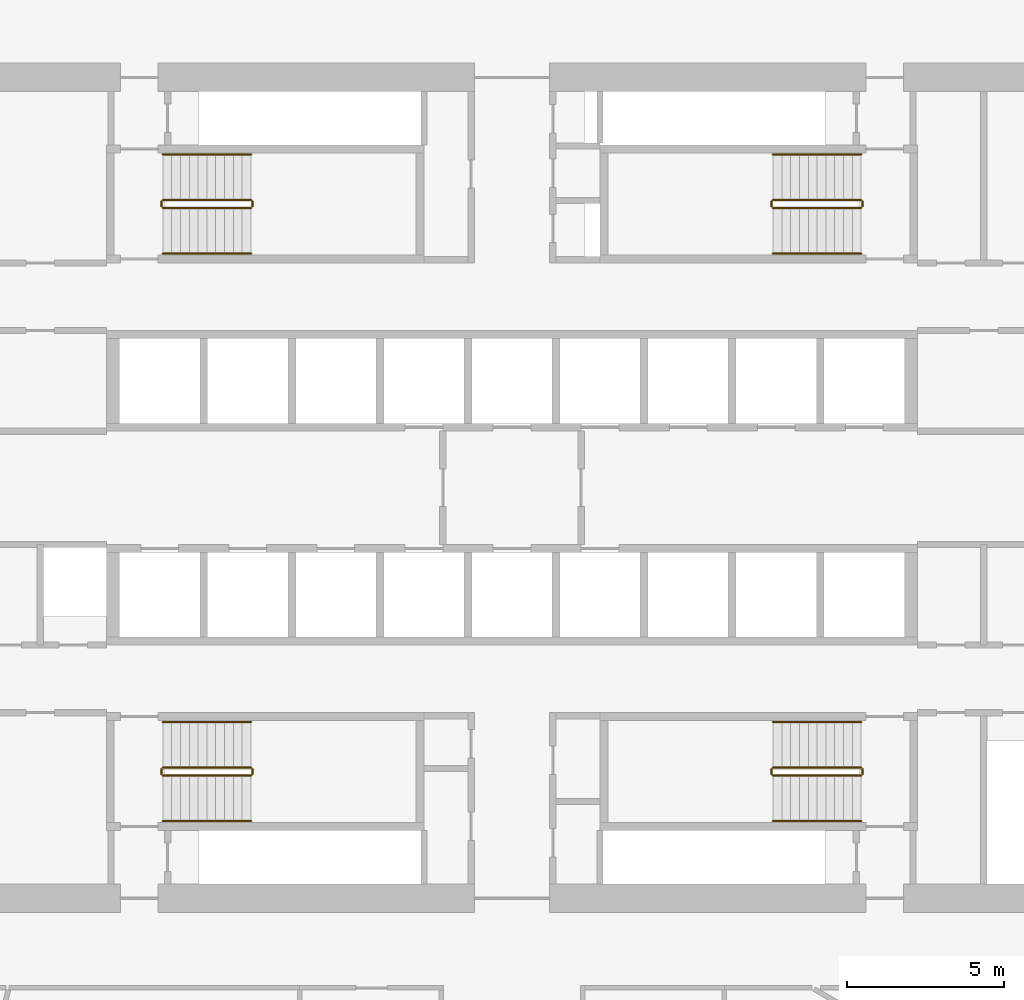
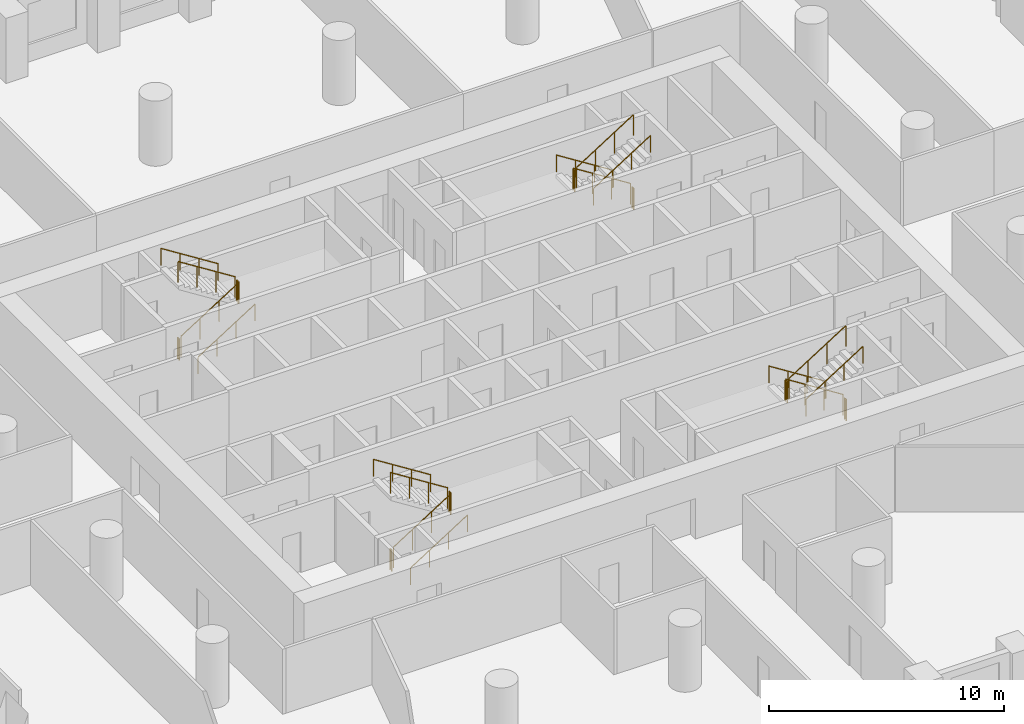
# One storey, part 10 of 10: 24 railings.
"""IFC4 building model written with IfcOpenShell, lengths in metres."""

from ifc_helpers import new_model, si_unit, direction, frame, origin, origin_2d, place, context, subcontext, project, spatial, circle, extrude, material, type_object, element, save


model = new_model("IFC4")

# Units and contexts
model_context = context("Model", 3, precision=1e-05, world=origin(), true_north=direction((0.0, 1.0)))
body_context = subcontext(model_context, "Body", "Model", "MODEL_VIEW")
ifc_project = project(units=[si_unit("LENGTHUNIT", "METRE"), si_unit("AREAUNIT", "SQUARE_METRE"), si_unit("VOLUMEUNIT", "CUBIC_METRE"), si_unit("PLANEANGLEUNIT", "RADIAN"), si_unit("MASSUNIT", "GRAM", prefix="KILO")], contexts=[model_context])

# Site, building, storey
site_placement = place(None, origin())
site = spatial("IfcSite", under=ifc_project, at=site_placement, CompositionType="ELEMENT")
building_placement = place(site_placement, origin())
building = spatial("IfcBuilding", under=site, at=building_placement, Name="Dhurran Vertical Campus", CompositionType="ELEMENT")
storey_placement = place(building_placement, frame((0.0, 0.0, 72.89990234375)))
storey = spatial("IfcBuildingStorey", under=building, at=storey_placement, Name="L17", CompositionType="ELEMENT", Elevation=72.89990234375)

# Railings
ifc_material_1 = material(Name="Stainless steel balustrade", Category="steel")
railing_type_1 = type_object("IfcRailingType", Name="co-RL-GUARD-1100", PredefinedType="GUARDRAIL", material=ifc_material_1)
railing_1_placement = place(storey_placement, frame((-11.10009765625, 8.89990234375, 0.177490234375)))
element("IfcRailing", 1, at=railing_1_placement, inside=storey, type_object=railing_type_1, Name="L17 ST1 stair guard 1", PredefinedType="GUARDRAIL", context=body_context, shape_type="SweptSolid", body=[
    extrude(circle(Radius=0.02392578125, at=origin_2d()), frame((0.0, 0.0, 1.076171875), z_axis=(0.844908973607, 0.0, 0.534910110503), x_axis=(0.0, 1.0, 0.0)), (0.0, 0.0, 1.0), 3.31396484375),
    extrude(circle(Radius=0.02099609375, at=origin_2d()), origin(), (0.0, 0.0, 1.0), 1.052001953125),
    extrude(circle(Radius=0.02099609375, at=origin_2d()), frame((0.933349609375, 0.0, 0.5908203125)), (0.0, 0.0, 1.0), 1.052001953125),
    extrude(circle(Radius=0.02099609375, at=origin_2d()), frame((1.86669921875, 0.0, 1.181884765625)), (0.0, 0.0, 1.0), 1.052001953125),
    extrude(circle(Radius=0.02099609375, at=origin_2d()), frame((2.800048828125, 0.0, 1.772705078125)), (0.0, 0.0, 1.0), 1.052001953125),
])
railing_2_placement = place(storey_placement, frame((-8.25, 8.949951171875, 1.9501953125)))
element("IfcRailing", 2, at=railing_2_placement, inside=storey, type_object=railing_type_1, Name="L17 ST1 stair guard 2", PredefinedType="GUARDRAIL", context=body_context, shape_type="SweptSolid", body=[
    extrude(circle(Radius=0.02392578125, at=origin_2d()), frame((0.0, 0.0, 1.076171875), z_axis=(0.0, 1.0, 0.0), x_axis=(-1.0, 0.0, 0.0)), (0.0, 0.0, 1.0), 0.150146484375),
    extrude(circle(Radius=0.02099609375, at=origin_2d()), origin(), (0.0, 0.0, 1.0), 1.052001953125),
    extrude(circle(Radius=0.02099609375, at=origin_2d()), frame((0.0, 0.150146484375, 0.0)), (0.0, 0.0, 1.0), 1.052001953125),
])
railing_3_placement = place(storey_placement, frame((-8.300048828125, 9.14990234375, 2.12744140625)))
element("IfcRailing", 3, at=railing_3_placement, inside=storey, type_object=railing_type_1, Name="L17 ST1 stair guard 3", PredefinedType="GUARDRAIL", context=body_context, shape_type="SweptSolid", body=[
    extrude(circle(Radius=0.02392578125, at=origin_2d()), frame((0.0, 0.0, 1.076171875), z_axis=(-0.844908973607, 0.0, 0.534910110503), x_axis=(0.0, -1.0, 0.0)), (0.0, 0.0, 1.0), 3.31396484375),
    extrude(circle(Radius=0.02099609375, at=origin_2d()), origin(), (0.0, 0.0, 1.0), 1.052001953125),
    extrude(circle(Radius=0.02099609375, at=origin_2d()), frame((-0.933349609375, 0.0, 0.5908203125)), (0.0, 0.0, 1.0), 1.052001953125),
    extrude(circle(Radius=0.02099609375, at=origin_2d()), frame((-1.86669921875, 0.0, 1.181884765625)), (0.0, 0.0, 1.0), 1.052001953125),
    extrude(circle(Radius=0.02099609375, at=origin_2d()), frame((-2.800048828125, 0.0, 1.772705078125)), (0.0, 0.0, 1.0), 1.052001953125),
])
railing_4_placement = place(storey_placement, frame((-11.14990234375, 8.949951171875, 0.0)))
element("IfcRailing", 4, at=railing_4_placement, inside=storey, type_object=railing_type_1, Name="L17 ST1 stair guard 4", PredefinedType="GUARDRAIL", context=body_context, shape_type="SweptSolid", body=[
    extrude(circle(Radius=0.02392578125, at=origin_2d()), frame((0.0, 0.0, 1.076171875), z_axis=(0.0, 1.0, 0.0), x_axis=(-1.0, 0.0, 0.0)), (0.0, 0.0, 1.0), 0.150146484375),
    extrude(circle(Radius=0.02099609375, at=origin_2d()), origin(), (0.0, 0.0, 1.0), 1.052001953125),
    extrude(circle(Radius=0.02099609375, at=origin_2d()), frame((0.0, 0.150146484375, 0.0)), (0.0, 0.0, 1.0), 1.052001953125),
])
railing_5_placement = place(storey_placement, frame((11.10009765625, 9.14990234375, 0.177490234375)))
element("IfcRailing", 5, at=railing_5_placement, inside=storey, type_object=railing_type_1, Name="L17 ST2 stair guard 1", PredefinedType="GUARDRAIL", context=body_context, shape_type="SweptSolid", body=[
    extrude(circle(Radius=0.02392578125, at=origin_2d()), frame((0.0, 0.0, 1.076171875), z_axis=(-0.844908973607, 0.0, 0.534910110503), x_axis=(0.0, -1.0, 0.0)), (0.0, 0.0, 1.0), 3.31396484375),
    extrude(circle(Radius=0.02099609375, at=origin_2d()), origin(), (0.0, 0.0, 1.0), 1.052001953125),
    extrude(circle(Radius=0.02099609375, at=origin_2d()), frame((-0.933349609375, 0.0, 0.5908203125)), (0.0, 0.0, 1.0), 1.052001953125),
    extrude(circle(Radius=0.02099609375, at=origin_2d()), frame((-1.86669921875, 0.0, 1.181884765625)), (0.0, 0.0, 1.0), 1.052001953125),
    extrude(circle(Radius=0.02099609375, at=origin_2d()), frame((-2.800048828125, 0.0, 1.772705078125)), (0.0, 0.0, 1.0), 1.052001953125),
])
railing_6_placement = place(storey_placement, frame((8.25, 9.10009765625, 1.9501953125)))
element("IfcRailing", 6, at=railing_6_placement, inside=storey, type_object=railing_type_1, Name="L17 ST2 stair guard 2", PredefinedType="GUARDRAIL", context=body_context, shape_type="SweptSolid", body=[
    extrude(circle(Radius=0.02392578125, at=origin_2d()), frame((0.0, 0.0, 1.076171875), z_axis=(0.0, -1.0, 0.0), x_axis=(1.0, 0.0, 0.0)), (0.0, 0.0, 1.0), 0.150146484375),
    extrude(circle(Radius=0.02099609375, at=origin_2d()), origin(), (0.0, 0.0, 1.0), 1.052001953125),
    extrude(circle(Radius=0.02099609375, at=origin_2d()), frame((0.0, -0.150146484375, 0.0)), (0.0, 0.0, 1.0), 1.052001953125),
])
railing_7_placement = place(storey_placement, frame((8.300048828125, 8.89990234375, 2.12744140625)))
element("IfcRailing", 7, at=railing_7_placement, inside=storey, type_object=railing_type_1, Name="L17 ST2 stair guard 3", PredefinedType="GUARDRAIL", context=body_context, shape_type="SweptSolid", body=[
    extrude(circle(Radius=0.02392578125, at=origin_2d()), frame((0.0, 0.0, 1.076171875), z_axis=(0.844908973607, 0.0, 0.534910110503), x_axis=(0.0, 1.0, 0.0)), (0.0, 0.0, 1.0), 3.31396484375),
    extrude(circle(Radius=0.02099609375, at=origin_2d()), origin(), (0.0, 0.0, 1.0), 1.052001953125),
    extrude(circle(Radius=0.02099609375, at=origin_2d()), frame((0.933349609375, 0.0, 0.5908203125)), (0.0, 0.0, 1.0), 1.052001953125),
    extrude(circle(Radius=0.02099609375, at=origin_2d()), frame((1.86669921875, 0.0, 1.181884765625)), (0.0, 0.0, 1.0), 1.052001953125),
    extrude(circle(Radius=0.02099609375, at=origin_2d()), frame((2.800048828125, 0.0, 1.772705078125)), (0.0, 0.0, 1.0), 1.052001953125),
])
railing_8_placement = place(storey_placement, frame((11.14990234375, 9.10009765625, 0.0)))
element("IfcRailing", 8, at=railing_8_placement, inside=storey, type_object=railing_type_1, Name="L17 ST2 stair guard 4", PredefinedType="GUARDRAIL", context=body_context, shape_type="SweptSolid", body=[
    extrude(circle(Radius=0.02392578125, at=origin_2d()), frame((0.0, 0.0, 1.076171875), z_axis=(0.0, -1.0, 0.0), x_axis=(1.0, 0.0, 0.0)), (0.0, 0.0, 1.0), 0.150146484375),
    extrude(circle(Radius=0.02099609375, at=origin_2d()), origin(), (0.0, 0.0, 1.0), 1.052001953125),
    extrude(circle(Radius=0.02099609375, at=origin_2d()), frame((0.0, -0.150146484375, 0.0)), (0.0, 0.0, 1.0), 1.052001953125),
])
railing_9_placement = place(storey_placement, frame((-11.10009765625, -9.14990234375, 0.177490234375)))
element("IfcRailing", 9, at=railing_9_placement, inside=storey, type_object=railing_type_1, Name="L17 ST3 stair guard 1", PredefinedType="GUARDRAIL", context=body_context, shape_type="SweptSolid", body=[
    extrude(circle(Radius=0.02392578125, at=origin_2d()), frame((0.0, 0.0, 1.076171875), z_axis=(0.844908973607, 0.0, 0.534910110503), x_axis=(0.0, 1.0, 0.0)), (0.0, 0.0, 1.0), 3.31396484375),
    extrude(circle(Radius=0.02099609375, at=origin_2d()), origin(), (0.0, 0.0, 1.0), 1.052001953125),
    extrude(circle(Radius=0.02099609375, at=origin_2d()), frame((0.933349609375, 0.0, 0.5908203125)), (0.0, 0.0, 1.0), 1.052001953125),
    extrude(circle(Radius=0.02099609375, at=origin_2d()), frame((1.86669921875, 0.0, 1.181884765625)), (0.0, 0.0, 1.0), 1.052001953125),
    extrude(circle(Radius=0.02099609375, at=origin_2d()), frame((2.800048828125, 0.0, 1.772705078125)), (0.0, 0.0, 1.0), 1.052001953125),
])
railing_10_placement = place(storey_placement, frame((-8.25, -9.10009765625, 1.9501953125)))
element("IfcRailing", 10, at=railing_10_placement, inside=storey, type_object=railing_type_1, Name="L17 ST3 stair guard 2", PredefinedType="GUARDRAIL", context=body_context, shape_type="SweptSolid", body=[
    extrude(circle(Radius=0.02392578125, at=origin_2d()), frame((0.0, 0.0, 1.076171875), z_axis=(0.0, 1.0, 0.0), x_axis=(-1.0, 0.0, 0.0)), (0.0, 0.0, 1.0), 0.150146484375),
    extrude(circle(Radius=0.02099609375, at=origin_2d()), origin(), (0.0, 0.0, 1.0), 1.052001953125),
    extrude(circle(Radius=0.02099609375, at=origin_2d()), frame((0.0, 0.150146484375, 0.0)), (0.0, 0.0, 1.0), 1.052001953125),
])
railing_11_placement = place(storey_placement, frame((-8.300048828125, -8.89990234375, 2.12744140625)))
element("IfcRailing", 11, at=railing_11_placement, inside=storey, type_object=railing_type_1, Name="L17 ST3 stair guard 3", PredefinedType="GUARDRAIL", context=body_context, shape_type="SweptSolid", body=[
    extrude(circle(Radius=0.02392578125, at=origin_2d()), frame((0.0, 0.0, 1.076171875), z_axis=(-0.844908973607, 0.0, 0.534910110503), x_axis=(0.0, -1.0, 0.0)), (0.0, 0.0, 1.0), 3.31396484375),
    extrude(circle(Radius=0.02099609375, at=origin_2d()), origin(), (0.0, 0.0, 1.0), 1.052001953125),
    extrude(circle(Radius=0.02099609375, at=origin_2d()), frame((-0.933349609375, 0.0, 0.5908203125)), (0.0, 0.0, 1.0), 1.052001953125),
    extrude(circle(Radius=0.02099609375, at=origin_2d()), frame((-1.86669921875, 0.0, 1.181884765625)), (0.0, 0.0, 1.0), 1.052001953125),
    extrude(circle(Radius=0.02099609375, at=origin_2d()), frame((-2.800048828125, 0.0, 1.772705078125)), (0.0, 0.0, 1.0), 1.052001953125),
])
railing_12_placement = place(storey_placement, frame((-11.14990234375, -9.10009765625, 0.0)))
element("IfcRailing", 12, at=railing_12_placement, inside=storey, type_object=railing_type_1, Name="L17 ST3 stair guard 4", PredefinedType="GUARDRAIL", context=body_context, shape_type="SweptSolid", body=[
    extrude(circle(Radius=0.02392578125, at=origin_2d()), frame((0.0, 0.0, 1.076171875), z_axis=(0.0, 1.0, 0.0), x_axis=(-1.0, 0.0, 0.0)), (0.0, 0.0, 1.0), 0.150146484375),
    extrude(circle(Radius=0.02099609375, at=origin_2d()), origin(), (0.0, 0.0, 1.0), 1.052001953125),
    extrude(circle(Radius=0.02099609375, at=origin_2d()), frame((0.0, 0.150146484375, 0.0)), (0.0, 0.0, 1.0), 1.052001953125),
])
railing_13_placement = place(storey_placement, frame((11.10009765625, -8.89990234375, 0.177490234375)))
element("IfcRailing", 13, at=railing_13_placement, inside=storey, type_object=railing_type_1, Name="L17 ST4 stair guard 1", PredefinedType="GUARDRAIL", context=body_context, shape_type="SweptSolid", body=[
    extrude(circle(Radius=0.02392578125, at=origin_2d()), frame((0.0, 0.0, 1.076171875), z_axis=(-0.844908973607, 0.0, 0.534910110503), x_axis=(0.0, -1.0, 0.0)), (0.0, 0.0, 1.0), 3.31396484375),
    extrude(circle(Radius=0.02099609375, at=origin_2d()), origin(), (0.0, 0.0, 1.0), 1.052001953125),
    extrude(circle(Radius=0.02099609375, at=origin_2d()), frame((-0.933349609375, 0.0, 0.5908203125)), (0.0, 0.0, 1.0), 1.052001953125),
    extrude(circle(Radius=0.02099609375, at=origin_2d()), frame((-1.86669921875, 0.0, 1.181884765625)), (0.0, 0.0, 1.0), 1.052001953125),
    extrude(circle(Radius=0.02099609375, at=origin_2d()), frame((-2.800048828125, 0.0, 1.772705078125)), (0.0, 0.0, 1.0), 1.052001953125),
])
railing_14_placement = place(storey_placement, frame((8.25, -8.949951171875, 1.9501953125)))
element("IfcRailing", 14, at=railing_14_placement, inside=storey, type_object=railing_type_1, Name="L17 ST4 stair guard 2", PredefinedType="GUARDRAIL", context=body_context, shape_type="SweptSolid", body=[
    extrude(circle(Radius=0.02392578125, at=origin_2d()), frame((0.0, 0.0, 1.076171875), z_axis=(0.0, -1.0, 0.0), x_axis=(1.0, 0.0, 0.0)), (0.0, 0.0, 1.0), 0.150146484375),
    extrude(circle(Radius=0.02099609375, at=origin_2d()), origin(), (0.0, 0.0, 1.0), 1.052001953125),
    extrude(circle(Radius=0.02099609375, at=origin_2d()), frame((0.0, -0.150146484375, 0.0)), (0.0, 0.0, 1.0), 1.052001953125),
])
railing_15_placement = place(storey_placement, frame((8.300048828125, -9.14990234375, 2.12744140625)))
element("IfcRailing", 15, at=railing_15_placement, inside=storey, type_object=railing_type_1, Name="L17 ST4 stair guard 3", PredefinedType="GUARDRAIL", context=body_context, shape_type="SweptSolid", body=[
    extrude(circle(Radius=0.02392578125, at=origin_2d()), frame((0.0, 0.0, 1.076171875), z_axis=(0.844908973607, 0.0, 0.534910110503), x_axis=(0.0, 1.0, 0.0)), (0.0, 0.0, 1.0), 3.31396484375),
    extrude(circle(Radius=0.02099609375, at=origin_2d()), origin(), (0.0, 0.0, 1.0), 1.052001953125),
    extrude(circle(Radius=0.02099609375, at=origin_2d()), frame((0.933349609375, 0.0, 0.5908203125)), (0.0, 0.0, 1.0), 1.052001953125),
    extrude(circle(Radius=0.02099609375, at=origin_2d()), frame((1.86669921875, 0.0, 1.181884765625)), (0.0, 0.0, 1.0), 1.052001953125),
    extrude(circle(Radius=0.02099609375, at=origin_2d()), frame((2.800048828125, 0.0, 1.772705078125)), (0.0, 0.0, 1.0), 1.052001953125),
])
railing_16_placement = place(storey_placement, frame((11.14990234375, -8.949951171875, 0.0)))
element("IfcRailing", 16, at=railing_16_placement, inside=storey, type_object=railing_type_1, Name="L17 ST4 stair guard 4", PredefinedType="GUARDRAIL", context=body_context, shape_type="SweptSolid", body=[
    extrude(circle(Radius=0.02392578125, at=origin_2d()), frame((0.0, 0.0, 1.076171875), z_axis=(0.0, -1.0, 0.0), x_axis=(1.0, 0.0, 0.0)), (0.0, 0.0, 1.0), 0.150146484375),
    extrude(circle(Radius=0.02099609375, at=origin_2d()), origin(), (0.0, 0.0, 1.0), 1.052001953125),
    extrude(circle(Radius=0.02099609375, at=origin_2d()), frame((0.0, -0.150146484375, 0.0)), (0.0, 0.0, 1.0), 1.052001953125),
])
ifc_material_2 = material(Name="Stainless steel handrail", Category="steel")
railing_type_2 = type_object("IfcRailingType", Name="co-RL-HANDRAIL-900", PredefinedType="HANDRAIL", material=ifc_material_2)
railing_17_placement = place(storey_placement, frame((-11.10009765625, 7.449951171875, 0.177490234375)))
element("IfcRailing", 17, at=railing_17_placement, inside=storey, type_object=railing_type_2, Name="L17 ST1 stair handrail 1", PredefinedType="HANDRAIL", context=body_context, shape_type="SweptSolid", body=[
    extrude(circle(Radius=0.02392578125, at=origin_2d()), frame((0.0, 0.0, 0.8759765625), z_axis=(0.844908973607, 0.0, 0.534910110503), x_axis=(0.0, 1.0, 0.0)), (0.0, 0.0, 1.0), 3.31396484375),
    extrude(circle(Radius=0.02099609375, at=origin_2d()), origin(), (0.0, 0.0, 1.0), 0.851806640625),
    extrude(circle(Radius=0.02099609375, at=origin_2d()), frame((0.933349609375, 0.0, 0.5908203125)), (0.0, 0.0, 1.0), 0.851806640625),
    extrude(circle(Radius=0.02099609375, at=origin_2d()), frame((1.86669921875, 0.0, 1.181884765625)), (0.0, 0.0, 1.0), 0.851806640625),
    extrude(circle(Radius=0.02099609375, at=origin_2d()), frame((2.800048828125, 0.0, 1.772705078125)), (0.0, 0.0, 1.0), 0.851806640625),
])
for number, where, name in (
    (18, (-8.300048828125, 10.60009765625, 2.12744140625), "L17 ST1 stair handrail 2"),
    (19, (11.10009765625, 10.60009765625, 0.177490234375), "L17 ST2 stair handrail 1"),
):
    element("IfcRailing", number, at=place(storey_placement, frame(where)), inside=storey, type_object=railing_type_2, Name=name, PredefinedType="HANDRAIL", context=body_context, shape_type="SweptSolid", body=[
        extrude(circle(Radius=0.02392578125, at=origin_2d()), frame((0.0, 0.0, 0.8759765625), z_axis=(-0.844908973607, 0.0, 0.534910110503), x_axis=(0.0, -1.0, 0.0)), (0.0, 0.0, 1.0), 3.31396484375),
        extrude(circle(Radius=0.02099609375, at=origin_2d()), origin(), (0.0, 0.0, 1.0), 0.851806640625),
        extrude(circle(Radius=0.02099609375, at=origin_2d()), frame((-0.933349609375, 0.0, 0.5908203125)), (0.0, 0.0, 1.0), 0.851806640625),
        extrude(circle(Radius=0.02099609375, at=origin_2d()), frame((-1.86669921875, 0.0, 1.181884765625)), (0.0, 0.0, 1.0), 0.851806640625),
        extrude(circle(Radius=0.02099609375, at=origin_2d()), frame((-2.800048828125, 0.0, 1.772705078125)), (0.0, 0.0, 1.0), 0.851806640625),
    ])
for number, where, name in (
    (20, (8.300048828125, 7.449951171875, 2.12744140625), "L17 ST2 stair handrail 2"),
    (21, (-11.10009765625, -10.60009765625, 0.177490234375), "L17 ST3 stair handrail 1"),
):
    element("IfcRailing", number, at=place(storey_placement, frame(where)), inside=storey, type_object=railing_type_2, Name=name, PredefinedType="HANDRAIL", context=body_context, shape_type="SweptSolid", body=[
        extrude(circle(Radius=0.02392578125, at=origin_2d()), frame((0.0, 0.0, 0.8759765625), z_axis=(0.844908973607, 0.0, 0.534910110503), x_axis=(0.0, 1.0, 0.0)), (0.0, 0.0, 1.0), 3.31396484375),
        extrude(circle(Radius=0.02099609375, at=origin_2d()), origin(), (0.0, 0.0, 1.0), 0.851806640625),
        extrude(circle(Radius=0.02099609375, at=origin_2d()), frame((0.933349609375, 0.0, 0.5908203125)), (0.0, 0.0, 1.0), 0.851806640625),
        extrude(circle(Radius=0.02099609375, at=origin_2d()), frame((1.86669921875, 0.0, 1.181884765625)), (0.0, 0.0, 1.0), 0.851806640625),
        extrude(circle(Radius=0.02099609375, at=origin_2d()), frame((2.800048828125, 0.0, 1.772705078125)), (0.0, 0.0, 1.0), 0.851806640625),
    ])
for number, where, name in (
    (22, (-8.300048828125, -7.449951171875, 2.12744140625), "L17 ST3 stair handrail 2"),
    (23, (11.10009765625, -7.449951171875, 0.177490234375), "L17 ST4 stair handrail 1"),
):
    element("IfcRailing", number, at=place(storey_placement, frame(where)), inside=storey, type_object=railing_type_2, Name=name, PredefinedType="HANDRAIL", context=body_context, shape_type="SweptSolid", body=[
        extrude(circle(Radius=0.02392578125, at=origin_2d()), frame((0.0, 0.0, 0.8759765625), z_axis=(-0.844908973607, 0.0, 0.534910110503), x_axis=(0.0, -1.0, 0.0)), (0.0, 0.0, 1.0), 3.31396484375),
        extrude(circle(Radius=0.02099609375, at=origin_2d()), origin(), (0.0, 0.0, 1.0), 0.851806640625),
        extrude(circle(Radius=0.02099609375, at=origin_2d()), frame((-0.933349609375, 0.0, 0.5908203125)), (0.0, 0.0, 1.0), 0.851806640625),
        extrude(circle(Radius=0.02099609375, at=origin_2d()), frame((-1.86669921875, 0.0, 1.181884765625)), (0.0, 0.0, 1.0), 0.851806640625),
        extrude(circle(Radius=0.02099609375, at=origin_2d()), frame((-2.800048828125, 0.0, 1.772705078125)), (0.0, 0.0, 1.0), 0.851806640625),
    ])
railing_18_placement = place(storey_placement, frame((8.300048828125, -10.60009765625, 2.12744140625)))
element("IfcRailing", 24, at=railing_18_placement, inside=storey, type_object=railing_type_2, Name="L17 ST4 stair handrail 2", PredefinedType="HANDRAIL", context=body_context, shape_type="SweptSolid", body=[
    extrude(circle(Radius=0.02392578125, at=origin_2d()), frame((0.0, 0.0, 0.8759765625), z_axis=(0.844908973607, 0.0, 0.534910110503), x_axis=(0.0, 1.0, 0.0)), (0.0, 0.0, 1.0), 3.31396484375),
    extrude(circle(Radius=0.02099609375, at=origin_2d()), origin(), (0.0, 0.0, 1.0), 0.851806640625),
    extrude(circle(Radius=0.02099609375, at=origin_2d()), frame((0.933349609375, 0.0, 0.5908203125)), (0.0, 0.0, 1.0), 0.851806640625),
    extrude(circle(Radius=0.02099609375, at=origin_2d()), frame((1.86669921875, 0.0, 1.181884765625)), (0.0, 0.0, 1.0), 0.851806640625),
    extrude(circle(Radius=0.02099609375, at=origin_2d()), frame((2.800048828125, 0.0, 1.772705078125)), (0.0, 0.0, 1.0), 0.851806640625),
])

save(model, "model.ifc")
